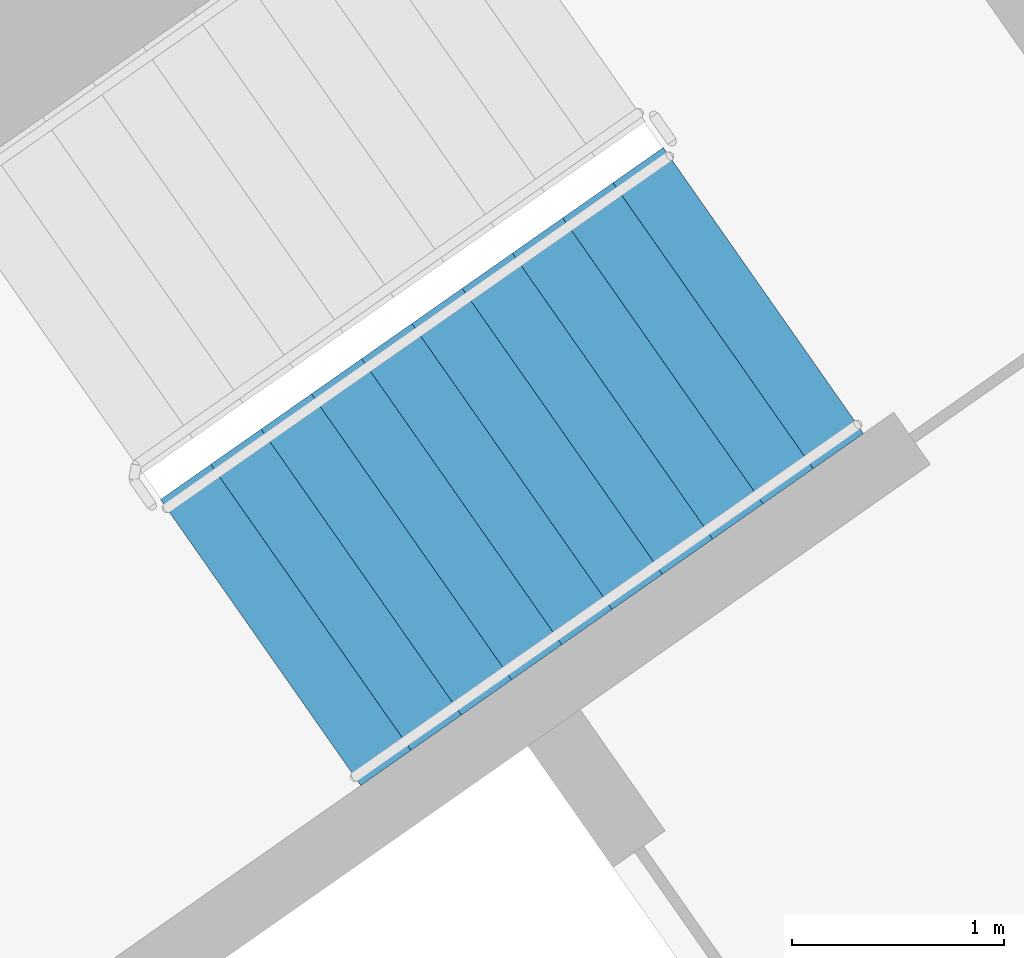
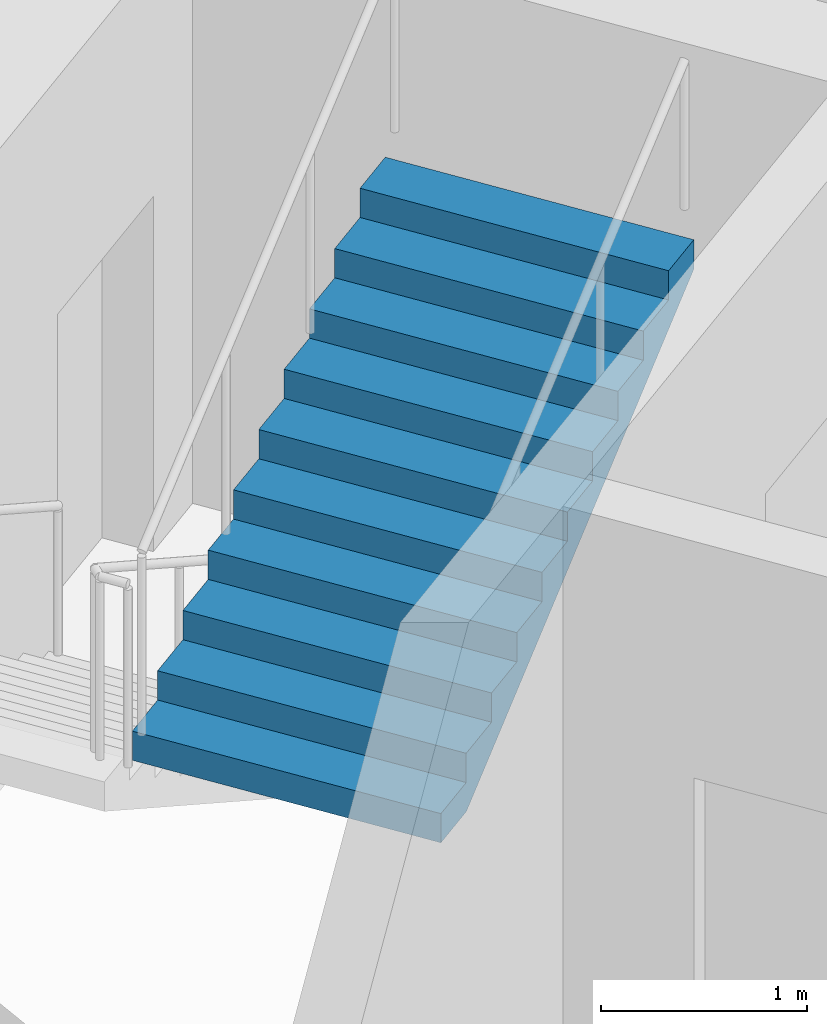
# One storey, part 17 of 26: 1 stair flight, 1 element without a shape of its own.
"""IFC4 building model written with IfcOpenShell, lengths in metres."""

from ifc_helpers import new_model, si_unit, direction, frame, origin, place, context, subcontext, project, spatial, faceted_brep, material, type_object, element, aggregate, save


model = new_model("IFC4")

# Units and contexts
model_context = context("Model", 3, precision=1e-05, world=origin(), true_north=direction((0.0, 1.0)))
body_context = subcontext(model_context, "Body", "Model", "MODEL_VIEW")
ifc_project = project(units=[si_unit("LENGTHUNIT", "METRE"), si_unit("AREAUNIT", "SQUARE_METRE"), si_unit("VOLUMEUNIT", "CUBIC_METRE"), si_unit("PLANEANGLEUNIT", "RADIAN"), si_unit("MASSUNIT", "GRAM", prefix="KILO")], contexts=[model_context])

# Site, building, storey
site_placement = place(None, origin())
site = spatial("IfcSite", under=ifc_project, at=site_placement, CompositionType="ELEMENT")
building_placement = place(site_placement, origin())
building = spatial("IfcBuilding", under=site, at=building_placement, Name="Qamariyya Broadcast Tower", CompositionType="ELEMENT")
storey_placement = place(building_placement, frame((0.0, 0.0, 183.5)))
storey = spatial("IfcBuildingStorey", under=building, at=storey_placement, Name="L43", CompositionType="ELEMENT", Elevation=183.5)

# Stair, stair flight
ifc_material = material(Name="Concrete C50/60", Category="concrete")
stair_type = type_object("IfcStairType", Name="Exit stair 22 risers of 173 mm", PredefinedType="HALF_TURN_STAIR", material=ifc_material)
stair_placement = place(storey_placement, origin())
stair = element("IfcStair", 1, at=stair_placement, inside=storey, type_object=stair_type, Name="L43 Stair E2", PredefinedType="HALF_TURN_STAIR")
stair_flight_type = type_object("IfcStairFlightType", Name="Exit stair flight 11 risers of 173 mm", PredefinedType="STRAIGHT", material=ifc_material)
stair_flight_placement = place(storey_placement, frame((39.215576171875, -50.822998046875, 1.89990234375), z_axis=(0.0, 0.0, 1.0), x_axis=(0.819152044289, 0.573576436351, 0.0)))
stair_flight = element("IfcStairFlight", 2, at=stair_flight_placement, type_object=stair_flight_type, Name="ST-E2 flight 2", NumberOfRisers=11, NumberOfTreads=10, PredefinedType="STRAIGHT", RiserHeight=0.172727273, TreadLength=0.29, context=body_context, shape_type="Brep", body=[
    faceted_brep([(0.0, 0.824951171875, 0.0), (0.0, 0.824951171875, 0.172607421875), (0.2900390625, 0.824951171875, 0.172607421875), (0.2900390625, 0.824951171875, 0.345458984375), (0.580078125, 0.824951171875, 0.345458984375), (0.580078125, 0.824951171875, 0.51806640625), (0.8701171875, 0.824951171875, 0.51806640625), (0.8701171875, 0.824951171875, 0.69091796875), (1.159912109375, 0.824951171875, 0.69091796875), (1.159912109375, 0.824951171875, 0.863525390625), (1.449951171875, 0.824951171875, 0.863525390625), (1.449951171875, 0.824951171875, 1.036376953125), (1.739990234375, 0.824951171875, 1.036376953125), (1.739990234375, 0.824951171875, 1.208984375), (2.030029296875, 0.824951171875, 1.208984375), (2.030029296875, 0.824951171875, 1.3818359375), (2.320068359375, 0.824951171875, 1.3818359375), (2.320068359375, 0.824951171875, 1.554443359375), (2.610107421875, 0.824951171875, 1.554443359375), (2.610107421875, 0.824951171875, 1.727294921875), (2.89990234375, 0.824951171875, 1.727294921875), (2.89990234375, 0.824951171875, 1.552734375), (0.29296875, 0.824951171875, 0.0), (0.29296875, -0.824951171875, 0.0), (2.89990234375, -0.824951171875, 1.552734375), (2.89990234375, -0.824951171875, 1.727294921875), (2.610107421875, -0.824951171875, 1.727294921875), (2.610107421875, -0.824951171875, 1.554443359375), (2.320068359375, -0.824951171875, 1.554443359375), (2.320068359375, -0.824951171875, 1.3818359375), (2.030029296875, -0.824951171875, 1.3818359375), (2.030029296875, -0.824951171875, 1.208984375), (1.739990234375, -0.824951171875, 1.208984375), (1.739990234375, -0.824951171875, 1.036376953125), (1.449951171875, -0.824951171875, 1.036376953125), (1.449951171875, -0.824951171875, 0.863525390625), (1.159912109375, -0.824951171875, 0.863525390625), (1.159912109375, -0.824951171875, 0.69091796875), (0.8701171875, -0.824951171875, 0.69091796875), (0.8701171875, -0.824951171875, 0.51806640625), (0.580078125, -0.824951171875, 0.51806640625), (0.580078125, -0.824951171875, 0.345458984375), (0.2900390625, -0.824951171875, 0.345458984375), (0.2900390625, -0.824951171875, 0.172607421875), (0.0, -0.824951171875, 0.172607421875), (0.0, -0.824951171875, 0.0), (0.0, 0.10009765625, 0.0), (0.0, 0.086669921875, 0.0), (0.0, 0.0732421875, 0.0), (0.0, 0.06005859375, 0.0), (0.0, 0.046630859375, 0.0), (0.0, 0.033447265625, 0.0), (0.0, 0.02001953125, 0.0), (0.0, 0.006591796875, 0.0), (0.0, -0.006591796875, 0.0), (0.0, -0.02001953125, 0.0), (0.0, -0.033447265625, 0.0), (0.0, -0.046630859375, 0.0), (0.0, -0.06005859375, 0.0), (0.0, -0.0732421875, 0.0), (0.0, -0.086669921875, 0.0), (0.0, -0.10009765625, 0.0), (0.0, -0.10009765625, 0.172607421875), (0.0, -0.086669921875, 0.172607421875), (0.0, -0.0732421875, 0.172607421875), (0.0, -0.06005859375, 0.172607421875), (0.0, -0.046630859375, 0.172607421875), (0.0, -0.033447265625, 0.172607421875), (0.0, -0.02001953125, 0.172607421875), (0.0, -0.006591796875, 0.172607421875), (0.0, 0.006591796875, 0.172607421875), (0.0, 0.02001953125, 0.172607421875), (0.0, 0.033447265625, 0.172607421875), (0.0, 0.046630859375, 0.172607421875), (0.0, 0.06005859375, 0.172607421875), (0.0, 0.0732421875, 0.172607421875), (0.0, 0.086669921875, 0.172607421875), (0.0, 0.10009765625, 0.172607421875), (0.2900390625, -0.10009765625, 0.172607421875), (0.2900390625, -0.086669921875, 0.172607421875), (0.2900390625, -0.0732421875, 0.172607421875), (0.2900390625, -0.06005859375, 0.172607421875), (0.2900390625, -0.046630859375, 0.172607421875), (0.2900390625, -0.033447265625, 0.172607421875), (0.2900390625, -0.02001953125, 0.172607421875), (0.2900390625, -0.006591796875, 0.172607421875), (0.2900390625, 0.006591796875, 0.172607421875), (0.2900390625, 0.02001953125, 0.172607421875), (0.2900390625, 0.033447265625, 0.172607421875), (0.2900390625, 0.046630859375, 0.172607421875), (0.2900390625, 0.06005859375, 0.172607421875), (0.2900390625, 0.0732421875, 0.172607421875), (0.2900390625, 0.086669921875, 0.172607421875), (0.2900390625, 0.10009765625, 0.172607421875), (0.2900390625, -0.10009765625, 0.345458984375), (0.2900390625, -0.086669921875, 0.345458984375), (0.2900390625, -0.0732421875, 0.345458984375), (0.2900390625, -0.06005859375, 0.345458984375), (0.2900390625, -0.046630859375, 0.345458984375), (0.2900390625, -0.033447265625, 0.345458984375), (0.2900390625, -0.02001953125, 0.345458984375), (0.2900390625, -0.006591796875, 0.345458984375), (0.2900390625, 0.006591796875, 0.345458984375), (0.2900390625, 0.02001953125, 0.345458984375), (0.2900390625, 0.033447265625, 0.345458984375), (0.2900390625, 0.046630859375, 0.345458984375), (0.2900390625, 0.06005859375, 0.345458984375), (0.2900390625, 0.0732421875, 0.345458984375), (0.2900390625, 0.086669921875, 0.345458984375), (0.2900390625, 0.10009765625, 0.345458984375), (0.580078125, -0.10009765625, 0.345458984375), (0.580078125, -0.086669921875, 0.345458984375), (0.580078125, -0.0732421875, 0.345458984375), (0.580078125, -0.06005859375, 0.345458984375), (0.580078125, -0.046630859375, 0.345458984375), (0.580078125, -0.033447265625, 0.345458984375), (0.580078125, -0.02001953125, 0.345458984375), (0.580078125, -0.006591796875, 0.345458984375), (0.580078125, 0.006591796875, 0.345458984375), (0.580078125, 0.02001953125, 0.345458984375), (0.580078125, 0.033447265625, 0.345458984375), (0.580078125, 0.046630859375, 0.345458984375), (0.580078125, 0.06005859375, 0.345458984375), (0.580078125, 0.0732421875, 0.345458984375), (0.580078125, 0.086669921875, 0.345458984375), (0.580078125, 0.10009765625, 0.345458984375), (0.580078125, -0.10009765625, 0.51806640625), (0.580078125, -0.086669921875, 0.51806640625), (0.580078125, -0.0732421875, 0.51806640625), (0.580078125, -0.06005859375, 0.51806640625), (0.580078125, -0.046630859375, 0.51806640625), (0.580078125, -0.033447265625, 0.51806640625), (0.580078125, -0.02001953125, 0.51806640625), (0.580078125, -0.006591796875, 0.51806640625), (0.580078125, 0.006591796875, 0.51806640625), (0.580078125, 0.02001953125, 0.51806640625), (0.580078125, 0.033447265625, 0.51806640625), (0.580078125, 0.046630859375, 0.51806640625), (0.580078125, 0.06005859375, 0.51806640625), (0.580078125, 0.0732421875, 0.51806640625), (0.580078125, 0.086669921875, 0.51806640625), (0.580078125, 0.10009765625, 0.51806640625), (0.8701171875, -0.10009765625, 0.51806640625), (0.8701171875, -0.086669921875, 0.51806640625), (0.8701171875, -0.0732421875, 0.51806640625), (0.8701171875, -0.06005859375, 0.51806640625), (0.8701171875, -0.046630859375, 0.51806640625), (0.8701171875, -0.033447265625, 0.51806640625), (0.8701171875, -0.02001953125, 0.51806640625), (0.8701171875, -0.006591796875, 0.51806640625), (0.8701171875, 0.006591796875, 0.51806640625), (0.8701171875, 0.02001953125, 0.51806640625), (0.8701171875, 0.033447265625, 0.51806640625), (0.8701171875, 0.046630859375, 0.51806640625), (0.8701171875, 0.06005859375, 0.51806640625), (0.8701171875, 0.0732421875, 0.51806640625), (0.8701171875, 0.086669921875, 0.51806640625), (0.8701171875, 0.10009765625, 0.51806640625), (0.8701171875, -0.10009765625, 0.69091796875), (0.8701171875, -0.086669921875, 0.69091796875), (0.8701171875, -0.0732421875, 0.69091796875), (0.8701171875, -0.06005859375, 0.69091796875), (0.8701171875, -0.046630859375, 0.69091796875), (0.8701171875, -0.033447265625, 0.69091796875), (0.8701171875, -0.02001953125, 0.69091796875), (0.8701171875, -0.006591796875, 0.69091796875), (0.8701171875, 0.006591796875, 0.69091796875), (0.8701171875, 0.02001953125, 0.69091796875), (0.8701171875, 0.033447265625, 0.69091796875), (0.8701171875, 0.046630859375, 0.69091796875), (0.8701171875, 0.06005859375, 0.69091796875), (0.8701171875, 0.0732421875, 0.69091796875), (0.8701171875, 0.086669921875, 0.69091796875), (0.8701171875, 0.10009765625, 0.69091796875), (1.159912109375, -0.10009765625, 0.69091796875), (1.159912109375, -0.086669921875, 0.69091796875), (1.159912109375, -0.0732421875, 0.69091796875), (1.159912109375, -0.06005859375, 0.69091796875), (1.159912109375, -0.046630859375, 0.69091796875), (1.159912109375, -0.033447265625, 0.69091796875), (1.159912109375, -0.02001953125, 0.69091796875), (1.159912109375, -0.006591796875, 0.69091796875), (1.159912109375, 0.006591796875, 0.69091796875), (1.159912109375, 0.02001953125, 0.69091796875), (1.159912109375, 0.033447265625, 0.69091796875), (1.159912109375, 0.046630859375, 0.69091796875), (1.159912109375, 0.06005859375, 0.69091796875), (1.159912109375, 0.0732421875, 0.69091796875), (1.159912109375, 0.086669921875, 0.69091796875), (1.159912109375, 0.10009765625, 0.69091796875), (1.159912109375, -0.10009765625, 0.863525390625), (1.159912109375, -0.086669921875, 0.863525390625), (1.159912109375, -0.0732421875, 0.863525390625), (1.159912109375, -0.06005859375, 0.863525390625), (1.159912109375, -0.046630859375, 0.863525390625), (1.159912109375, -0.033447265625, 0.863525390625), (1.159912109375, -0.02001953125, 0.863525390625), (1.159912109375, -0.006591796875, 0.863525390625), (1.159912109375, 0.006591796875, 0.863525390625), (1.159912109375, 0.02001953125, 0.863525390625), (1.159912109375, 0.033447265625, 0.863525390625), (1.159912109375, 0.046630859375, 0.863525390625), (1.159912109375, 0.06005859375, 0.863525390625), (1.159912109375, 0.0732421875, 0.863525390625), (1.159912109375, 0.086669921875, 0.863525390625), (1.159912109375, 0.10009765625, 0.863525390625), (1.449951171875, -0.10009765625, 0.863525390625), (1.449951171875, -0.086669921875, 0.863525390625), (1.449951171875, -0.0732421875, 0.863525390625), (1.449951171875, -0.06005859375, 0.863525390625), (1.449951171875, -0.046630859375, 0.863525390625), (1.449951171875, -0.033447265625, 0.863525390625), (1.449951171875, -0.02001953125, 0.863525390625), (1.449951171875, -0.006591796875, 0.863525390625), (1.449951171875, 0.006591796875, 0.863525390625), (1.449951171875, 0.02001953125, 0.863525390625), (1.449951171875, 0.033447265625, 0.863525390625), (1.449951171875, 0.046630859375, 0.863525390625), (1.449951171875, 0.06005859375, 0.863525390625), (1.449951171875, 0.0732421875, 0.863525390625), (1.449951171875, 0.086669921875, 0.863525390625), (1.449951171875, 0.10009765625, 0.863525390625), (1.449951171875, -0.10009765625, 1.036376953125), (1.449951171875, -0.086669921875, 1.036376953125), (1.449951171875, -0.0732421875, 1.036376953125), (1.449951171875, -0.06005859375, 1.036376953125), (1.449951171875, -0.046630859375, 1.036376953125), (1.449951171875, -0.033447265625, 1.036376953125), (1.449951171875, -0.02001953125, 1.036376953125), (1.449951171875, -0.006591796875, 1.036376953125), (1.449951171875, 0.006591796875, 1.036376953125), (1.449951171875, 0.02001953125, 1.036376953125), (1.449951171875, 0.033447265625, 1.036376953125), (1.449951171875, 0.046630859375, 1.036376953125), (1.449951171875, 0.06005859375, 1.036376953125), (1.449951171875, 0.0732421875, 1.036376953125), (1.449951171875, 0.086669921875, 1.036376953125), (1.449951171875, 0.10009765625, 1.036376953125), (1.739990234375, -0.10009765625, 1.036376953125), (1.739990234375, -0.086669921875, 1.036376953125), (1.739990234375, -0.0732421875, 1.036376953125), (1.739990234375, -0.06005859375, 1.036376953125), (1.739990234375, -0.046630859375, 1.036376953125), (1.739990234375, -0.033447265625, 1.036376953125), (1.739990234375, -0.02001953125, 1.036376953125), (1.739990234375, -0.006591796875, 1.036376953125), (1.739990234375, 0.006591796875, 1.036376953125), (1.739990234375, 0.02001953125, 1.036376953125), (1.739990234375, 0.033447265625, 1.036376953125), (1.739990234375, 0.046630859375, 1.036376953125), (1.739990234375, 0.06005859375, 1.036376953125), (1.739990234375, 0.0732421875, 1.036376953125), (1.739990234375, 0.086669921875, 1.036376953125), (1.739990234375, 0.10009765625, 1.036376953125), (1.739990234375, -0.10009765625, 1.208984375), (1.739990234375, -0.086669921875, 1.208984375), (1.739990234375, -0.0732421875, 1.208984375), (1.739990234375, -0.06005859375, 1.208984375), (1.739990234375, -0.046630859375, 1.208984375), (1.739990234375, -0.033447265625, 1.208984375), (1.739990234375, -0.02001953125, 1.208984375), (1.739990234375, -0.006591796875, 1.208984375), (1.739990234375, 0.006591796875, 1.208984375), (1.739990234375, 0.02001953125, 1.208984375), (1.739990234375, 0.033447265625, 1.208984375), (1.739990234375, 0.046630859375, 1.208984375), (1.739990234375, 0.06005859375, 1.208984375), (1.739990234375, 0.0732421875, 1.208984375), (1.739990234375, 0.086669921875, 1.208984375), (1.739990234375, 0.10009765625, 1.208984375), (2.030029296875, -0.10009765625, 1.208984375), (2.030029296875, -0.086669921875, 1.208984375), (2.030029296875, -0.0732421875, 1.208984375), (2.030029296875, -0.06005859375, 1.208984375), (2.030029296875, -0.046630859375, 1.208984375), (2.030029296875, -0.033447265625, 1.208984375), (2.030029296875, -0.02001953125, 1.208984375), (2.030029296875, -0.006591796875, 1.208984375), (2.030029296875, 0.006591796875, 1.208984375), (2.030029296875, 0.02001953125, 1.208984375), (2.030029296875, 0.033447265625, 1.208984375), (2.030029296875, 0.046630859375, 1.208984375), (2.030029296875, 0.06005859375, 1.208984375), (2.030029296875, 0.0732421875, 1.208984375), (2.030029296875, 0.086669921875, 1.208984375), (2.030029296875, 0.10009765625, 1.208984375), (2.030029296875, -0.10009765625, 1.3818359375), (2.030029296875, -0.086669921875, 1.3818359375), (2.030029296875, -0.0732421875, 1.3818359375), (2.030029296875, -0.06005859375, 1.3818359375), (2.030029296875, -0.046630859375, 1.3818359375), (2.030029296875, -0.033447265625, 1.3818359375), (2.030029296875, -0.02001953125, 1.3818359375), (2.030029296875, -0.006591796875, 1.3818359375), (2.030029296875, 0.006591796875, 1.3818359375), (2.030029296875, 0.02001953125, 1.3818359375), (2.030029296875, 0.033447265625, 1.3818359375), (2.030029296875, 0.046630859375, 1.3818359375), (2.030029296875, 0.06005859375, 1.3818359375), (2.030029296875, 0.0732421875, 1.3818359375), (2.030029296875, 0.086669921875, 1.3818359375), (2.030029296875, 0.10009765625, 1.3818359375), (2.320068359375, -0.10009765625, 1.3818359375), (2.320068359375, -0.086669921875, 1.3818359375), (2.320068359375, -0.0732421875, 1.3818359375), (2.320068359375, -0.06005859375, 1.3818359375), (2.320068359375, -0.046630859375, 1.3818359375), (2.320068359375, -0.033447265625, 1.3818359375), (2.320068359375, -0.02001953125, 1.3818359375), (2.320068359375, -0.006591796875, 1.3818359375), (2.320068359375, 0.006591796875, 1.3818359375), (2.320068359375, 0.02001953125, 1.3818359375), (2.320068359375, 0.033447265625, 1.3818359375), (2.320068359375, 0.046630859375, 1.3818359375), (2.320068359375, 0.06005859375, 1.3818359375), (2.320068359375, 0.0732421875, 1.3818359375), (2.320068359375, 0.086669921875, 1.3818359375), (2.320068359375, 0.10009765625, 1.3818359375), (2.320068359375, -0.10009765625, 1.554443359375), (2.320068359375, -0.086669921875, 1.554443359375), (2.320068359375, -0.0732421875, 1.554443359375), (2.320068359375, -0.06005859375, 1.554443359375), (2.320068359375, -0.046630859375, 1.554443359375), (2.320068359375, -0.033447265625, 1.554443359375), (2.320068359375, -0.02001953125, 1.554443359375), (2.320068359375, -0.006591796875, 1.554443359375), (2.320068359375, 0.006591796875, 1.554443359375), (2.320068359375, 0.02001953125, 1.554443359375), (2.320068359375, 0.033447265625, 1.554443359375), (2.320068359375, 0.046630859375, 1.554443359375), (2.320068359375, 0.06005859375, 1.554443359375), (2.320068359375, 0.0732421875, 1.554443359375), (2.320068359375, 0.086669921875, 1.554443359375), (2.320068359375, 0.10009765625, 1.554443359375), (2.610107421875, -0.10009765625, 1.554443359375), (2.610107421875, -0.086669921875, 1.554443359375), (2.610107421875, -0.0732421875, 1.554443359375), (2.610107421875, -0.06005859375, 1.554443359375), (2.610107421875, -0.046630859375, 1.554443359375), (2.610107421875, -0.033447265625, 1.554443359375), (2.610107421875, -0.02001953125, 1.554443359375), (2.610107421875, -0.006591796875, 1.554443359375), (2.610107421875, 0.006591796875, 1.554443359375), (2.610107421875, 0.02001953125, 1.554443359375), (2.610107421875, 0.033447265625, 1.554443359375), (2.610107421875, 0.046630859375, 1.554443359375), (2.610107421875, 0.06005859375, 1.554443359375), (2.610107421875, 0.0732421875, 1.554443359375), (2.610107421875, 0.086669921875, 1.554443359375), (2.610107421875, 0.10009765625, 1.554443359375), (2.610107421875, -0.10009765625, 1.727294921875), (2.610107421875, -0.086669921875, 1.727294921875), (2.610107421875, -0.0732421875, 1.727294921875), (2.610107421875, -0.06005859375, 1.727294921875), (2.610107421875, -0.046630859375, 1.727294921875), (2.610107421875, -0.033447265625, 1.727294921875), (2.610107421875, -0.02001953125, 1.727294921875), (2.610107421875, -0.006591796875, 1.727294921875), (2.610107421875, 0.006591796875, 1.727294921875), (2.610107421875, 0.02001953125, 1.727294921875), (2.610107421875, 0.033447265625, 1.727294921875), (2.610107421875, 0.046630859375, 1.727294921875), (2.610107421875, 0.06005859375, 1.727294921875), (2.610107421875, 0.0732421875, 1.727294921875), (2.610107421875, 0.086669921875, 1.727294921875), (2.610107421875, 0.10009765625, 1.727294921875), (2.89990234375, -0.10009765625, 1.727294921875), (2.89990234375, -0.086669921875, 1.727294921875), (2.89990234375, -0.0732421875, 1.727294921875), (2.89990234375, -0.06005859375, 1.727294921875), (2.89990234375, -0.046630859375, 1.727294921875), (2.89990234375, -0.033447265625, 1.727294921875), (2.89990234375, -0.02001953125, 1.727294921875), (2.89990234375, -0.006591796875, 1.727294921875), (2.89990234375, 0.006591796875, 1.727294921875), (2.89990234375, 0.02001953125, 1.727294921875), (2.89990234375, 0.033447265625, 1.727294921875), (2.89990234375, 0.046630859375, 1.727294921875), (2.89990234375, 0.06005859375, 1.727294921875), (2.89990234375, 0.0732421875, 1.727294921875), (2.89990234375, 0.086669921875, 1.727294921875), (2.89990234375, 0.10009765625, 1.727294921875), (2.89990234375, -0.10009765625, 1.552734375), (2.89990234375, -0.086669921875, 1.552734375), (2.89990234375, -0.0732421875, 1.552734375), (2.89990234375, -0.06005859375, 1.552734375), (2.89990234375, -0.046630859375, 1.552734375), (2.89990234375, -0.033447265625, 1.552734375), (2.89990234375, -0.02001953125, 1.552734375), (2.89990234375, -0.006591796875, 1.552734375), (2.89990234375, 0.006591796875, 1.552734375), (2.89990234375, 0.02001953125, 1.552734375), (2.89990234375, 0.033447265625, 1.552734375), (2.89990234375, 0.046630859375, 1.552734375), (2.89990234375, 0.06005859375, 1.552734375), (2.89990234375, 0.0732421875, 1.552734375), (2.89990234375, 0.086669921875, 1.552734375), (2.89990234375, 0.10009765625, 1.552734375), (0.29296875, -0.10009765625, 0.0), (0.29296875, -0.086669921875, 0.0), (0.29296875, -0.0732421875, 0.0), (0.29296875, -0.06005859375, 0.0), (0.29296875, -0.046630859375, 0.0), (0.29296875, -0.033447265625, 0.0), (0.29296875, -0.02001953125, 0.0), (0.29296875, -0.006591796875, 0.0), (0.29296875, 0.006591796875, 0.0), (0.29296875, 0.02001953125, 0.0), (0.29296875, 0.033447265625, 0.0), (0.29296875, 0.046630859375, 0.0), (0.29296875, 0.06005859375, 0.0), (0.29296875, 0.0732421875, 0.0), (0.29296875, 0.086669921875, 0.0), (0.29296875, 0.10009765625, 0.0)], [[[0, 1, 2, 3, 4, 5, 6, 7, 8, 9, 10, 11, 12, 13, 14, 15, 16, 17, 18, 19, 20, 21, 22]], [[23, 24, 25, 26, 27, 28, 29, 30, 31, 32, 33, 34, 35, 36, 37, 38, 39, 40, 41, 42, 43, 44, 45]], [[0, 46, 47, 48, 49, 50, 51, 52, 53, 54, 55, 56, 57, 58, 59, 60, 61, 45, 44, 62, 63, 64, 65, 66, 67, 68, 69, 70, 71, 72, 73, 74, 75, 76, 77, 1]], [[1, 77, 76, 75, 74, 73, 72, 71, 70, 69, 68, 67, 66, 65, 64, 63, 62, 44, 43, 78, 79, 80, 81, 82, 83, 84, 85, 86, 87, 88, 89, 90, 91, 92, 93, 2]], [[2, 93, 92, 91, 90, 89, 88, 87, 86, 85, 84, 83, 82, 81, 80, 79, 78, 43, 42, 94, 95, 96, 97, 98, 99, 100, 101, 102, 103, 104, 105, 106, 107, 108, 109, 3]], [[3, 109, 108, 107, 106, 105, 104, 103, 102, 101, 100, 99, 98, 97, 96, 95, 94, 42, 41, 110, 111, 112, 113, 114, 115, 116, 117, 118, 119, 120, 121, 122, 123, 124, 125, 4]], [[4, 125, 124, 123, 122, 121, 120, 119, 118, 117, 116, 115, 114, 113, 112, 111, 110, 41, 40, 126, 127, 128, 129, 130, 131, 132, 133, 134, 135, 136, 137, 138, 139, 140, 141, 5]], [[5, 141, 140, 139, 138, 137, 136, 135, 134, 133, 132, 131, 130, 129, 128, 127, 126, 40, 39, 142, 143, 144, 145, 146, 147, 148, 149, 150, 151, 152, 153, 154, 155, 156, 157, 6]], [[6, 157, 156, 155, 154, 153, 152, 151, 150, 149, 148, 147, 146, 145, 144, 143, 142, 39, 38, 158, 159, 160, 161, 162, 163, 164, 165, 166, 167, 168, 169, 170, 171, 172, 173, 7]], [[7, 173, 172, 171, 170, 169, 168, 167, 166, 165, 164, 163, 162, 161, 160, 159, 158, 38, 37, 174, 175, 176, 177, 178, 179, 180, 181, 182, 183, 184, 185, 186, 187, 188, 189, 8]], [[8, 189, 188, 187, 186, 185, 184, 183, 182, 181, 180, 179, 178, 177, 176, 175, 174, 37, 36, 190, 191, 192, 193, 194, 195, 196, 197, 198, 199, 200, 201, 202, 203, 204, 205, 9]], [[9, 205, 204, 203, 202, 201, 200, 199, 198, 197, 196, 195, 194, 193, 192, 191, 190, 36, 35, 206, 207, 208, 209, 210, 211, 212, 213, 214, 215, 216, 217, 218, 219, 220, 221, 10]], [[10, 221, 220, 219, 218, 217, 216, 215, 214, 213, 212, 211, 210, 209, 208, 207, 206, 35, 34, 222, 223, 224, 225, 226, 227, 228, 229, 230, 231, 232, 233, 234, 235, 236, 237, 11]], [[11, 237, 236, 235, 234, 233, 232, 231, 230, 229, 228, 227, 226, 225, 224, 223, 222, 34, 33, 238, 239, 240, 241, 242, 243, 244, 245, 246, 247, 248, 249, 250, 251, 252, 253, 12]], [[12, 253, 252, 251, 250, 249, 248, 247, 246, 245, 244, 243, 242, 241, 240, 239, 238, 33, 32, 254, 255, 256, 257, 258, 259, 260, 261, 262, 263, 264, 265, 266, 267, 268, 269, 13]], [[13, 269, 268, 267, 266, 265, 264, 263, 262, 261, 260, 259, 258, 257, 256, 255, 254, 32, 31, 270, 271, 272, 273, 274, 275, 276, 277, 278, 279, 280, 281, 282, 283, 284, 285, 14]], [[14, 285, 284, 283, 282, 281, 280, 279, 278, 277, 276, 275, 274, 273, 272, 271, 270, 31, 30, 286, 287, 288, 289, 290, 291, 292, 293, 294, 295, 296, 297, 298, 299, 300, 301, 15]], [[15, 301, 300, 299, 298, 297, 296, 295, 294, 293, 292, 291, 290, 289, 288, 287, 286, 30, 29, 302, 303, 304, 305, 306, 307, 308, 309, 310, 311, 312, 313, 314, 315, 316, 317, 16]], [[16, 317, 316, 315, 314, 313, 312, 311, 310, 309, 308, 307, 306, 305, 304, 303, 302, 29, 28, 318, 319, 320, 321, 322, 323, 324, 325, 326, 327, 328, 329, 330, 331, 332, 333, 17]], [[17, 333, 332, 331, 330, 329, 328, 327, 326, 325, 324, 323, 322, 321, 320, 319, 318, 28, 27, 334, 335, 336, 337, 338, 339, 340, 341, 342, 343, 344, 345, 346, 347, 348, 349, 18]], [[18, 349, 348, 347, 346, 345, 344, 343, 342, 341, 340, 339, 338, 337, 336, 335, 334, 27, 26, 350, 351, 352, 353, 354, 355, 356, 357, 358, 359, 360, 361, 362, 363, 364, 365, 19]], [[19, 365, 364, 363, 362, 361, 360, 359, 358, 357, 356, 355, 354, 353, 352, 351, 350, 26, 25, 366, 367, 368, 369, 370, 371, 372, 373, 374, 375, 376, 377, 378, 379, 380, 381, 20]], [[20, 381, 380, 379, 378, 377, 376, 375, 374, 373, 372, 371, 370, 369, 368, 367, 366, 25, 24, 382, 383, 384, 385, 386, 387, 388, 389, 390, 391, 392, 393, 394, 395, 396, 397, 21]], [[21, 397, 396, 395, 394, 393, 392, 391, 390, 389, 388, 387, 386, 385, 384, 383, 382, 24, 23, 398, 399, 400, 401, 402, 403, 404, 405, 406, 407, 408, 409, 410, 411, 412, 413, 22]], [[22, 413, 412, 411, 410, 409, 408, 407, 406, 405, 404, 403, 402, 401, 400, 399, 398, 23, 45, 61, 60, 59, 58, 57, 56, 55, 54, 53, 52, 51, 50, 49, 48, 47, 46, 0]]]),
])
aggregate(stair, [stair_flight])

save(model, "model.ifc")
